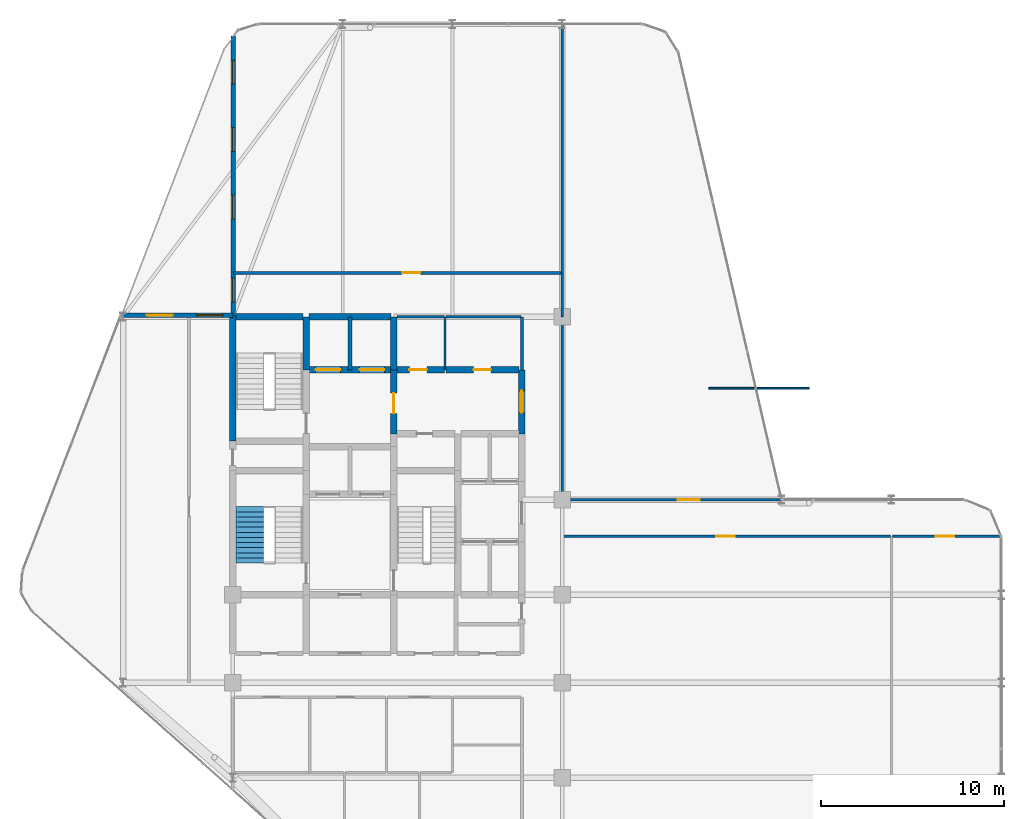
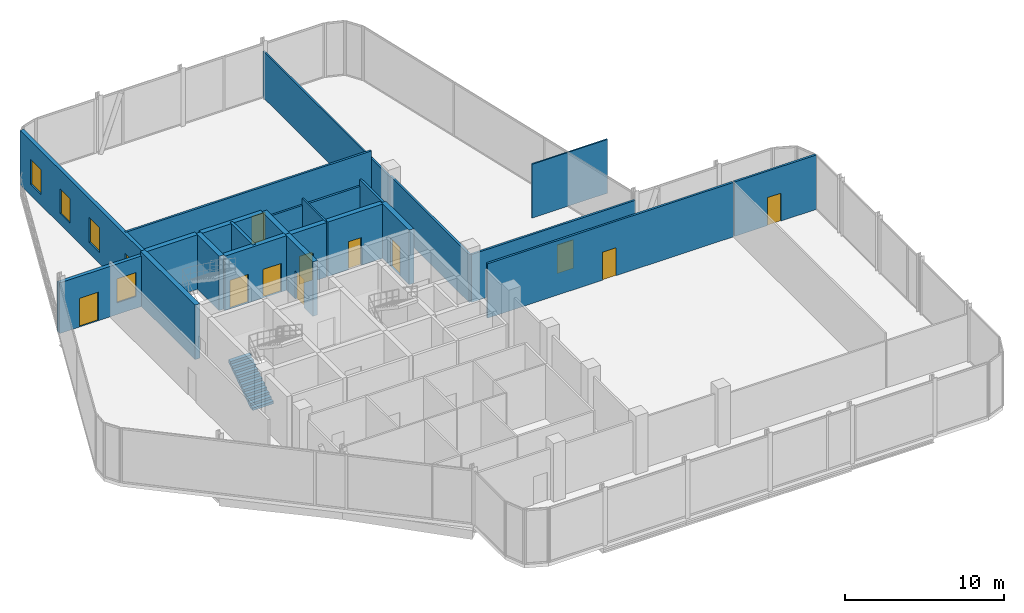
# One storey, part 29 of 31: 25 walls, 11 doors, 5 windows, 1 stair flight, 16 openings, 1 element without a shape of its own.
"""IFC4 building model written with IfcOpenShell, lengths in metres."""

from ifc_helpers import new_model, si_unit, direction, frame, frame_2d, origin, place, context, subcontext, project, spatial, polyline, rectangle, outline, extrude, material, layer, layer_set, type_object, element, fill, aggregate, save


model = new_model("IFC4")

# Units and contexts
model_context = context("Model", 3, precision=1e-05, world=origin(), true_north=direction((0.0, 1.0)))
body_context = subcontext(model_context, "Body", "Model", "MODEL_VIEW")
ifc_project = project(units=[si_unit("LENGTHUNIT", "METRE"), si_unit("AREAUNIT", "SQUARE_METRE"), si_unit("VOLUMEUNIT", "CUBIC_METRE"), si_unit("PLANEANGLEUNIT", "RADIAN"), si_unit("MASSUNIT", "GRAM", prefix="KILO")], contexts=[model_context])

# Site, building, storey
site_placement = place(None, origin())
site = spatial("IfcSite", under=ifc_project, at=site_placement, CompositionType="ELEMENT")
building_placement = place(site_placement, origin())
building = spatial("IfcBuilding", under=site, at=building_placement, Name="Keshet Zoharim Tower", CompositionType="ELEMENT")
storey_placement = place(building_placement, frame((0.0, 0.0, 183.89990234375)))
storey = spatial("IfcBuildingStorey", under=building, at=storey_placement, Name="L45", CompositionType="ELEMENT", Elevation=183.89990234375)

# Walls
ifc_material_1 = material(Name="Gypsum Plasterboard", Category="gypsum")
ifc_layer_1 = layer(ifc_material_1, 0.14990234375)
ifc_layer_set_1 = layer_set([ifc_layer_1], Name="Gypsum Plasterboard")
wall_type_1 = type_object("IfcWallType", Name="WL-CLIN-150", PredefinedType="STANDARD", material=ifc_layer_set_1)
wall_1_placement = place(storey_placement, frame((30.800048828125, 35.0, 0.0), z_axis=(0.0, 0.0, 1.0), x_axis=(0.0, 1.0, 0.0)))
element("IfcWall", 1, at=wall_1_placement, inside=storey, type_object=wall_type_1, Name="L45 Interior Wall 045", PredefinedType="STANDARD", context=body_context, shape_type="SweptSolid", body=[
    extrude(rectangle(XDim=2.89990234375, YDim=0.14990234375, at=frame_2d((1.449951171875, 0.0))), origin(), (0.0, 0.0, 1.0), 4.190185546875),
])
wall_2_placement = place(storey_placement, frame((33.0, 27.89990234375, 0.0), z_axis=(0.0, 0.0, 1.0), x_axis=(0.0, 1.0, 0.0)))
element("IfcWall", 2, at=wall_2_placement, inside=storey, type_object=wall_type_1, Name="L45 Interior Wall 047", PredefinedType="STANDARD", context=body_context, shape_type="SweptSolid", body=[
    extrude(rectangle(XDim=10.0, YDim=0.14990234375, at=frame_2d((5.0, 0.0))), origin(), (0.0, 0.0, 1.0), 3.690185546875),
])

# Wall, opening, door
wall_3_placement = place(storey_placement, frame((33.06005859375, 25.89990234375, 0.0), z_axis=(0.0, 0.0, 1.0), x_axis=(1.0, 0.0, 0.0)))
wall_3 = element("IfcWall", 3, at=wall_3_placement, inside=storey, type_object=wall_type_1, Name="L45 Interior Wall 074", PredefinedType="STANDARD", context=body_context, shape_type="SweptSolid", body=[
    extrude(rectangle(XDim=17.89501953125, YDim=0.14990234375, at=frame_2d((8.947509765625, 0.0))), origin(), (0.0, 0.0, 1.0), 4.190185546875),
])
opening_1_placement = place(wall_3_placement, frame((8.368896484375, 0.0, 0.0)))
opening_1 = element("IfcOpeningElement", 4, at=opening_1_placement, cuts=wall_3, Name="Opening D-F310", PredefinedType="OPENING", context=body_context, shape_type="SweptSolid", body=[
    extrude(rectangle(XDim=1.0, YDim=2.14990234375, at=frame_2d((0.5, 1.074951171875))), frame((0.0, 0.0849609375, 0.0), z_axis=(0.0, -1.0, 0.0), x_axis=(1.0, 0.0, 0.0)), (0.0, 0.0, 1.0), 0.169921875),
])
ifc_material_2 = material(Name="Hardwood Timber", Category="wood")
door_type_1 = type_object("IfcDoorType", Name="DR-FD30-100", OperationType="NOTDEFINED", PredefinedType="DOOR", material=ifc_material_2)
door_1_placement = place(opening_1_placement, origin())
door_1 = element("IfcDoor", 5, at=door_1_placement, inside=storey, type_object=door_type_1, Name="L45 Residents Dining Lounge Door", OperationType="SINGLE_SWING_RIGHT", OverallHeight=2.14990234375, OverallWidth=1.0, PredefinedType="DOOR", context=body_context, shape_type="SweptSolid", body=[
    extrude(rectangle(XDim=1.0, YDim=2.14990234375, at=frame_2d((0.5, 1.074951171875))), frame((0.0, 0.02490234375, 0.0), z_axis=(0.0, -1.0, 0.0), x_axis=(1.0, 0.0, 0.0)), (0.0, 0.0, 1.0), 0.050048828125),
])
fill(opening_1, door_1)

wall_4_placement = place(storey_placement, frame((51.044921875, 25.89990234375, 0.0), z_axis=(0.0, 0.0, 1.0), x_axis=(1.0, 0.0, 0.0)))
wall_4 = element("IfcWall", 6, at=wall_4_placement, inside=storey, type_object=wall_type_1, Name="L45 Interior Wall 075", PredefinedType="STANDARD", context=body_context, shape_type="SweptSolid", body=[
    extrude(rectangle(XDim=5.945068359375, YDim=0.14990234375, at=frame_2d((2.97265625, 0.0))), origin(), (0.0, 0.0, 1.0), 4.190185546875),
])
opening_2_placement = place(wall_4_placement, frame((2.384033203125, 0.0, 0.0)))
opening_2 = element("IfcOpeningElement", 7, at=opening_2_placement, cuts=wall_4, Name="Opening D-F310", PredefinedType="OPENING", context=body_context, shape_type="SweptSolid", body=[
    extrude(rectangle(XDim=1.0, YDim=2.14990234375, at=frame_2d((0.5, 1.074951171875))), frame((0.0, 0.0849609375, 0.0), z_axis=(0.0, -1.0, 0.0), x_axis=(1.0, 0.0, 0.0)), (0.0, 0.0, 1.0), 0.169921875),
])
door_2_placement = place(opening_2_placement, origin())
door_2 = element("IfcDoor", 8, at=door_2_placement, inside=storey, type_object=door_type_1, Name="L45 Residents Study Room Door", OperationType="SINGLE_SWING_LEFT", OverallHeight=2.14990234375, OverallWidth=1.0, PredefinedType="DOOR", context=body_context, shape_type="SweptSolid", body=[
    extrude(rectangle(XDim=1.0, YDim=2.14990234375, at=frame_2d((0.5, 1.074951171875))), frame((0.0, 0.02490234375, 0.0), z_axis=(0.0, -1.0, 0.0), x_axis=(1.0, 0.0, 0.0)), (0.0, 0.0, 1.0), 0.050048828125),
])
fill(opening_2, door_2)

wall_5_placement = place(storey_placement, frame((33.06005859375, 27.89990234375, 0.0), z_axis=(0.0, 0.0, 1.0), x_axis=(1.0, 0.0, 0.0)))
wall_5 = element("IfcWall", 9, at=wall_5_placement, inside=storey, type_object=wall_type_1, Name="L45 Interior Wall 076", PredefinedType="STANDARD", context=body_context, shape_type="SweptSolid", body=[
    extrude(rectangle(XDim=11.929931640625, YDim=0.14990234375, at=frame_2d((5.96484375, 0.0))), origin(), (0.0, 0.0, 1.0), 3.690185546875),
])
opening_3_placement = place(wall_5_placement, frame((6.260009765625, 0.0, 0.0)))
opening_3 = element("IfcOpeningElement", 10, at=opening_3_placement, cuts=wall_5, Name="Opening D-F612", PredefinedType="OPENING", context=body_context, shape_type="SweptSolid", body=[
    extrude(rectangle(XDim=1.199951171875, YDim=2.199951171875, at=frame_2d((0.60009765625, 1.10009765625))), frame((0.0, 0.0849609375, 0.0), z_axis=(0.0, -1.0, 0.0), x_axis=(1.0, 0.0, 0.0)), (0.0, 0.0, 1.0), 0.169921875),
])
door_type_2 = type_object("IfcDoorType", Name="DR-FD60-120", OperationType="NOTDEFINED", PredefinedType="DOOR", material=ifc_material_2)
door_3_placement = place(opening_3_placement, origin())
door_3 = element("IfcDoor", 11, at=door_3_placement, inside=storey, type_object=door_type_2, Name="L45 Community Assembly Hall Door", OperationType="SINGLE_SWING_RIGHT", OverallHeight=2.199951171875, OverallWidth=1.199951171875, PredefinedType="DOOR", context=body_context, shape_type="SweptSolid", body=[
    extrude(rectangle(XDim=1.199951171875, YDim=2.199951171875, at=frame_2d((0.60009765625, 1.10009765625))), frame((0.0, 0.02490234375, 0.0), z_axis=(0.0, -1.0, 0.0), x_axis=(1.0, 0.0, 0.0)), (0.0, 0.0, 1.0), 0.050048828125),
])
fill(opening_3, door_3)

# Walls
wall_6_placement = place(storey_placement, frame((23.9599609375, 37.89990234375, 0.0), z_axis=(0.0, 0.0, 1.0), x_axis=(1.0, 0.0, 0.0)))
element("IfcWall", 12, at=wall_6_placement, inside=storey, type_object=wall_type_1, Name="L45 Interior Wall 090", PredefinedType="STANDARD", context=body_context, shape_type="SweptSolid", body=[
    extrude(rectangle(XDim=2.594970703125, YDim=0.14990234375, at=frame_2d((1.29736328125, 0.0))), origin(), (0.0, 0.0, 1.0), 3.690185546875),
])
wall_7_placement = place(storey_placement, frame((26.64501953125, 37.89990234375, 0.0), z_axis=(0.0, 0.0, 1.0), x_axis=(1.0, 0.0, 0.0)))
element("IfcWall", 13, at=wall_7_placement, inside=storey, type_object=wall_type_1, Name="L45 Interior Wall 091", PredefinedType="STANDARD", context=body_context, shape_type="SweptSolid", body=[
    extrude(rectangle(XDim=4.094970703125, YDim=0.14990234375, at=frame_2d((2.04736328125, 0.0))), origin(), (0.0, 0.0, 1.0), 3.690185546875),
])

# Wall, opening, door
wall_8_placement = place(storey_placement, frame((15.030029296875, 40.300048828125, 0.0), z_axis=(0.0, 0.0, 1.0), x_axis=(1.0, 0.0, 0.0)))
wall_8 = element("IfcWall", 14, at=wall_8_placement, inside=storey, type_object=wall_type_1, Name="L45 Interior Wall 092", PredefinedType="STANDARD", context=body_context, shape_type="SweptSolid", body=[
    extrude(rectangle(XDim=17.909912109375, YDim=0.14990234375, at=frame_2d((8.955078125, 0.0))), origin(), (0.0, 0.0, 1.0), 4.190185546875),
])
opening_4_placement = place(wall_8_placement, frame((9.219970703125, 0.0, 0.0)))
opening_4 = element("IfcOpeningElement", 15, at=opening_4_placement, cuts=wall_8, Name="Opening D-F310", PredefinedType="OPENING", context=body_context, shape_type="SweptSolid", body=[
    extrude(rectangle(XDim=1.0, YDim=2.14990234375, at=frame_2d((0.5, 1.074951171875))), frame((0.0, 0.0849609375, 0.0), z_axis=(0.0, -1.0, 0.0), x_axis=(1.0, 0.0, 0.0)), (0.0, 0.0, 1.0), 0.169921875),
])
door_4_placement = place(opening_4_placement, origin())
door_4 = element("IfcDoor", 16, at=door_4_placement, inside=storey, type_object=door_type_1, Name="L45 Library and Study Room Door", OperationType="SINGLE_SWING_RIGHT", OverallHeight=2.14990234375, OverallWidth=1.0, PredefinedType="DOOR", context=body_context, shape_type="SweptSolid", body=[
    extrude(rectangle(XDim=1.0, YDim=2.14990234375, at=frame_2d((0.5, 1.074951171875))), frame((0.0, 0.02490234375, 0.0), z_axis=(0.0, -1.0, 0.0), x_axis=(1.0, 0.0, 0.0)), (0.0, 0.0, 1.0), 0.050048828125),
])
fill(opening_4, door_4)

# Walls
wall_9_placement = place(storey_placement, frame((33.0, 37.89990234375, 0.0), z_axis=(0.0, 0.0, 1.0), x_axis=(0.0, 1.0, 0.0)))
element("IfcWall", 17, at=wall_9_placement, inside=storey, type_object=wall_type_1, Name="L45 Interior Wall 047 Part 2", PredefinedType="STANDARD", context=body_context, shape_type="SweptSolid", body=[
    extrude(rectangle(XDim=2.400146484375, YDim=0.14990234375, at=frame_2d((1.2001953125, 0.0))), origin(), (0.0, 0.0, 1.0), 3.590087890625),
])
ifc_material_3 = material(Name="Concrete C60/75", Category="concrete")
ifc_layer_2 = layer(ifc_material_3, 0.35009765625)
ifc_layer_set_2 = layer_set([ifc_layer_2], Name="Concrete C60/75")
wall_type_2 = type_object("IfcWallType", Name="WL-CORE-350", PredefinedType="SHEAR", material=ifc_layer_set_2)
wall_10_placement = place(storey_placement, frame((15.0, 31.10009765625, 0.0), z_axis=(0.0, 0.0, 1.0), x_axis=(0.0, 1.0, 0.0)))
element("IfcWall", 18, at=wall_10_placement, inside=storey, type_object=wall_type_2, Name="L45 Core Shear Wall 007", PredefinedType="SHEAR", context=body_context, shape_type="SweptSolid", body=[
    extrude(rectangle(XDim=6.869873046875, YDim=0.35009765625, at=frame_2d((3.43505859375, 0.0))), origin(), (0.0, 0.0, 1.0), 4.190185546875),
])
wall_11_placement = place(storey_placement, frame((19.0, 35.0, 0.0), z_axis=(0.0, 0.0, 1.0), x_axis=(0.0, 1.0, 0.0)))
element("IfcWall", 19, at=wall_11_placement, inside=storey, type_object=wall_type_2, Name="L45 Core Shear Wall 012", PredefinedType="SHEAR", context=body_context, shape_type="SweptSolid", body=[
    extrude(rectangle(XDim=2.89990234375, YDim=0.35009765625, at=frame_2d((1.449951171875, 0.0))), origin(), (0.0, 0.0, 1.0), 4.190185546875),
])

# Wall, opening, door
wall_12_placement = place(storey_placement, frame((23.800048828125, 31.5, 0.0), z_axis=(0.0, 0.0, 1.0), x_axis=(0.0, 1.0, 0.0)))
wall_12 = element("IfcWall", 20, at=wall_12_placement, inside=storey, type_object=wall_type_2, Name="L45 Core Shear Wall 023", PredefinedType="SHEAR", context=body_context, shape_type="SweptSolid", body=[
    extrude(rectangle(XDim=3.5, YDim=0.35009765625, at=frame_2d((1.75, 0.0))), origin(), (0.0, 0.0, 1.0), 4.190185546875),
])
opening_5_placement = place(wall_12_placement, frame((1.126953125, 0.0, 0.0)))
opening_5 = element("IfcOpeningElement", 21, at=opening_5_placement, cuts=wall_12, Name="Opening D-F611", PredefinedType="OPENING", context=body_context, shape_type="SweptSolid", body=[
    extrude(rectangle(XDim=1.10009765625, YDim=2.14990234375, at=frame_2d((0.550048828125, 1.074951171875))), frame((0.0, 0.18505859375, 0.0), z_axis=(0.0, -1.0, 0.0), x_axis=(1.0, 0.0, 0.0)), (0.0, 0.0, 1.0), 0.3701171875),
])
door_type_3 = type_object("IfcDoorType", Name="DR-FD60-110", OperationType="NOTDEFINED", PredefinedType="DOOR", material=ifc_material_2)
door_5_placement = place(opening_5_placement, origin())
door_5 = element("IfcDoor", 22, at=door_5_placement, inside=storey, type_object=door_type_3, Name="L45 Firefighting Lobby Fire Door", OperationType="SINGLE_SWING_LEFT", OverallHeight=2.14990234375, OverallWidth=1.10009765625, PredefinedType="DOOR", context=body_context, shape_type="SweptSolid", body=[
    extrude(rectangle(XDim=1.10009765625, YDim=2.14990234375, at=frame_2d((0.550048828125, 1.074951171875))), frame((0.0, 0.02490234375, 0.0), z_axis=(0.0, -1.0, 0.0), x_axis=(1.0, 0.0, 0.0)), (0.0, 0.0, 1.0), 0.050048828125),
])
fill(opening_5, door_5)

# Wall
wall_13_placement = place(storey_placement, frame((23.800048828125, 35.0, 0.0), z_axis=(0.0, 0.0, 1.0), x_axis=(0.0, 1.0, 0.0)))
element("IfcWall", 23, at=wall_13_placement, inside=storey, type_object=wall_type_2, Name="L45 Core Shear Wall 024", PredefinedType="SHEAR", context=body_context, shape_type="SweptSolid", body=[
    extrude(rectangle(XDim=2.89990234375, YDim=0.35009765625, at=frame_2d((1.449951171875, 0.0))), origin(), (0.0, 0.0, 1.0), 4.190185546875),
])

# Wall, opening, door
wall_14_placement = place(storey_placement, frame((30.800048828125, 31.5, 0.0), z_axis=(0.0, 0.0, 1.0), x_axis=(0.0, 1.0, 0.0)))
wall_14 = element("IfcWall", 24, at=wall_14_placement, inside=storey, type_object=wall_type_2, Name="L45 Core Shear Wall 044", PredefinedType="SHEAR", context=body_context, shape_type="SweptSolid", body=[
    extrude(rectangle(XDim=3.5, YDim=0.35009765625, at=frame_2d((1.75, 0.0))), origin(), (0.0, 0.0, 1.0), 4.190185546875),
])
opening_6_placement = place(wall_14_placement, frame((1.14990234375, 0.0, 0.0)))
opening_6 = element("IfcOpeningElement", 25, at=opening_6_placement, cuts=wall_14, Name="Opening D-F612", PredefinedType="OPENING", context=body_context, shape_type="SweptSolid", body=[
    extrude(rectangle(XDim=1.199951171875, YDim=2.199951171875, at=frame_2d((0.60009765625, 1.10009765625))), frame((0.0, 0.18505859375, 0.0), z_axis=(0.0, -1.0, 0.0), x_axis=(1.0, 0.0, 0.0)), (0.0, 0.0, 1.0), 0.3701171875),
])
door_6_placement = place(opening_6_placement, origin())
door_6 = element("IfcDoor", 26, at=door_6_placement, inside=storey, type_object=door_type_2, Name="L45 North Lift Lobby East Fire Door", OperationType="SINGLE_SWING_RIGHT", OverallHeight=2.199951171875, OverallWidth=1.199951171875, PredefinedType="DOOR", context=body_context, shape_type="SweptSolid", body=[
    extrude(rectangle(XDim=1.199951171875, YDim=2.199951171875, at=frame_2d((0.60009765625, 1.10009765625))), frame((0.0, 0.02490234375, 0.0), z_axis=(0.0, -1.0, 0.0), x_axis=(1.0, 0.0, 0.0)), (0.0, 0.0, 1.0), 0.050048828125),
])
fill(opening_6, door_6)

# Wall, openings, doors
wall_15_placement = place(storey_placement, frame((19.159912109375, 35.0, 0.0), z_axis=(0.0, 0.0, 1.0), x_axis=(1.0, 0.0, 0.0)))
wall_15 = element("IfcWall", 27, at=wall_15_placement, inside=storey, type_object=wall_type_2, Name="L45 Core Shear Wall 085", PredefinedType="SHEAR", context=body_context, shape_type="SweptSolid", body=[
    extrude(rectangle(XDim=4.47998046875, YDim=0.35009765625, at=frame_2d((2.239990234375, 0.0))), origin(), (0.0, 0.0, 1.0), 4.190185546875),
])
opening_7_placement = place(wall_15_placement, frame((0.364990234375, 0.0, 0.0)))
opening_7 = element("IfcOpeningElement", 28, at=opening_7_placement, cuts=wall_15, Name="Opening LD-02", PredefinedType="OPENING", context=body_context, shape_type="SweptSolid", body=[
    extrude(rectangle(XDim=1.35009765625, YDim=2.199951171875, at=frame_2d((0.675048828125, 1.10009765625))), frame((0.0, 0.18505859375, 0.0), z_axis=(0.0, -1.0, 0.0), x_axis=(1.0, 0.0, 0.0)), (0.0, 0.0, 1.0), 0.3701171875),
])
opening_8_placement = place(wall_15_placement, frame((2.764892578125, 0.0, 0.0)))
opening_8 = element("IfcOpeningElement", 29, at=opening_8_placement, cuts=wall_15, Name="Opening LD-02", PredefinedType="OPENING", context=body_context, shape_type="SweptSolid", body=[
    extrude(rectangle(XDim=1.35009765625, YDim=2.199951171875, at=frame_2d((0.675048828125, 1.10009765625))), frame((0.0, 0.18505859375, 0.0), z_axis=(0.0, -1.0, 0.0), x_axis=(1.0, 0.0, 0.0)), (0.0, 0.0, 1.0), 0.3701171875),
])
ifc_material_4 = material(Name="Steel S355", Category="steel")
door_type_4 = type_object("IfcDoorType", Name="DR-LD02-135", OperationType="DOUBLE_DOOR_SLIDING", PredefinedType="DOOR", material=ifc_material_4)
door_7_placement = place(opening_7_placement, origin())
door_7 = element("IfcDoor", 30, at=door_7_placement, inside=storey, type_object=door_type_4, Name="L45 Firefighting Lift Landing Door FF-01", OperationType="DOUBLE_DOOR_SLIDING", OverallHeight=2.199951171875, OverallWidth=1.35009765625, PredefinedType="DOOR", context=body_context, shape_type="SweptSolid", body=[
    extrude(rectangle(XDim=1.35009765625, YDim=2.199951171875, at=frame_2d((0.675048828125, 1.10009765625))), frame((0.0, 0.02490234375, 0.0), z_axis=(0.0, -1.0, 0.0), x_axis=(1.0, 0.0, 0.0)), (0.0, 0.0, 1.0), 0.050048828125),
])
fill(opening_7, door_7)
door_8_placement = place(opening_8_placement, origin())
door_8 = element("IfcDoor", 31, at=door_8_placement, inside=storey, type_object=door_type_4, Name="L45 Firefighting Lift Landing Door FF-02", OperationType="DOUBLE_DOOR_SLIDING", OverallHeight=2.199951171875, OverallWidth=1.35009765625, PredefinedType="DOOR", context=body_context, shape_type="SweptSolid", body=[
    extrude(rectangle(XDim=1.35009765625, YDim=2.199951171875, at=frame_2d((0.675048828125, 1.10009765625))), frame((0.0, 0.02490234375, 0.0), z_axis=(0.0, -1.0, 0.0), x_axis=(1.0, 0.0, 0.0)), (0.0, 0.0, 1.0), 0.050048828125),
])
fill(opening_8, door_8)

# Wall, opening, door
wall_16_placement = place(storey_placement, frame((23.9599609375, 35.0, 0.0), z_axis=(0.0, 0.0, 1.0), x_axis=(1.0, 0.0, 0.0)))
wall_16 = element("IfcWall", 32, at=wall_16_placement, inside=storey, type_object=wall_type_2, Name="L45 Core Shear Wall 086", PredefinedType="SHEAR", context=body_context, shape_type="SweptSolid", body=[
    extrude(rectangle(XDim=2.594970703125, YDim=0.35009765625, at=frame_2d((1.29736328125, 0.0))), origin(), (0.0, 0.0, 1.0), 4.190185546875),
])
opening_9_placement = place(wall_16_placement, frame((0.69091796875, 0.0, 0.0)))
opening_9 = element("IfcOpeningElement", 33, at=opening_9_placement, cuts=wall_16, Name="Opening D-F695", PredefinedType="OPENING", context=body_context, shape_type="SweptSolid", body=[
    extrude(rectangle(XDim=0.949951171875, YDim=2.14990234375, at=frame_2d((0.47509765625, 1.074951171875))), frame((0.0, 0.18505859375, 0.0), z_axis=(0.0, -1.0, 0.0), x_axis=(1.0, 0.0, 0.0)), (0.0, 0.0, 1.0), 0.3701171875),
])
door_type_5 = type_object("IfcDoorType", Name="DR-FD60-095", OperationType="NOTDEFINED", PredefinedType="DOOR", material=ifc_material_2)
door_9_placement = place(opening_9_placement, frame((0.949951171875, 0.0, 0.0), z_axis=(0.0, 0.0, 1.0), x_axis=(-1.0, 0.0, 0.0)))
door_9 = element("IfcDoor", 34, at=door_9_placement, inside=storey, type_object=door_type_5, Name="L45 Laundry Room Door", OperationType="SINGLE_SWING_RIGHT", OverallHeight=2.14990234375, OverallWidth=0.949951171875, PredefinedType="DOOR", context=body_context, shape_type="SweptSolid", body=[
    extrude(rectangle(XDim=0.949951171875, YDim=2.14990234375, at=frame_2d((0.47509765625, 1.074951171875))), frame((0.0, 0.02490234375, 0.0), z_axis=(0.0, -1.0, 0.0), x_axis=(1.0, 0.0, 0.0)), (0.0, 0.0, 1.0), 0.050048828125),
])
fill(opening_9, door_9)

wall_17_placement = place(storey_placement, frame((26.64501953125, 35.0, 0.0), z_axis=(0.0, 0.0, 1.0), x_axis=(1.0, 0.0, 0.0)))
wall_17 = element("IfcWall", 35, at=wall_17_placement, inside=storey, type_object=wall_type_2, Name="L45 Core Shear Wall 087", PredefinedType="SHEAR", context=body_context, shape_type="SweptSolid", body=[
    extrude(rectangle(XDim=3.994873046875, YDim=0.35009765625, at=frame_2d((1.99755859375, 0.0))), origin(), (0.0, 0.0, 1.0), 4.190185546875),
])
opening_10_placement = place(wall_17_placement, frame((1.508056640625, 0.0, 0.0)))
opening_10 = element("IfcOpeningElement", 36, at=opening_10_placement, cuts=wall_17, Name="Opening D-F695", PredefinedType="OPENING", context=body_context, shape_type="SweptSolid", body=[
    extrude(rectangle(XDim=0.949951171875, YDim=2.14990234375, at=frame_2d((0.47509765625, 1.074951171875))), frame((0.0, 0.18505859375, 0.0), z_axis=(0.0, -1.0, 0.0), x_axis=(1.0, 0.0, 0.0)), (0.0, 0.0, 1.0), 0.3701171875),
])
door_10_placement = place(opening_10_placement, frame((0.949951171875, 0.0, 0.0), z_axis=(0.0, 0.0, 1.0), x_axis=(-1.0, 0.0, 0.0)))
door_10 = element("IfcDoor", 37, at=door_10_placement, inside=storey, type_object=door_type_5, Name="L45 Quiet Study Room Door", OperationType="SINGLE_SWING_LEFT", OverallHeight=2.14990234375, OverallWidth=0.949951171875, PredefinedType="DOOR", context=body_context, shape_type="SweptSolid", body=[
    extrude(rectangle(XDim=0.949951171875, YDim=2.14990234375, at=frame_2d((0.47509765625, 1.074951171875))), frame((0.0, 0.02490234375, 0.0), z_axis=(0.0, -1.0, 0.0), x_axis=(1.0, 0.0, 0.0)), (0.0, 0.0, 1.0), 0.050048828125),
])
fill(opening_10, door_10)

# Walls
wall_18_placement = place(storey_placement, frame((15.157958984375, 37.89990234375, 0.0), z_axis=(0.0, 0.0, 1.0), x_axis=(1.0, 0.0, 0.0)))
element("IfcWall", 38, at=wall_18_placement, inside=storey, type_object=wall_type_2, Name="L45 Core Shear Wall 088", PredefinedType="SHEAR", context=body_context, shape_type="SweptSolid", body=[
    extrude(rectangle(XDim=3.68212890625, YDim=0.35009765625, at=frame_2d((1.841064453125, 0.0))), origin(), (0.0, 0.0, 1.0), 4.190185546875),
])
wall_19_placement = place(storey_placement, frame((19.159912109375, 37.89990234375, 0.0), z_axis=(0.0, 0.0, 1.0), x_axis=(1.0, 0.0, 0.0)))
element("IfcWall", 39, at=wall_19_placement, inside=storey, type_object=wall_type_2, Name="L45 Core Shear Wall 089", PredefinedType="SHEAR", context=body_context, shape_type="SweptSolid", body=[
    extrude(rectangle(XDim=4.47998046875, YDim=0.35009765625, at=frame_2d((2.239990234375, 0.0))), origin(), (0.0, 0.0, 1.0), 4.190185546875),
])

# Wall, openings, door, window
ifc_material_5 = material(Name="Concrete C50/60 precast", Category="concrete")
ifc_layer_3 = layer(ifc_material_5, 0.260009765625)
ifc_layer_set_3 = layer_set([ifc_layer_3], Name="Concrete C50/60 precast")
wall_type_3 = type_object("IfcWallType", Name="WL-EXT-260", PredefinedType="STANDARD", material=ifc_layer_set_3)
wall_20_placement = place(storey_placement, frame((8.876953125, 37.97998046875, 0.0), z_axis=(0.0, 0.0, 1.0), x_axis=(1.0, 0.0, 0.0)))
wall_20 = element("IfcWall", 40, at=wall_20_placement, inside=storey, type_object=wall_type_3, Name="L45 Exterior Facade Wall 01", PredefinedType="STANDARD", context=body_context, shape_type="SweptSolid", body=[
    extrude(rectangle(XDim=6.14306640625, YDim=0.260009765625, at=frame_2d((3.071533203125, 0.0))), origin(), (0.0, 0.0, 1.0), 3.89013671875),
])
opening_11_placement = place(wall_20_placement, frame((1.424072265625, 0.0, 0.0)))
opening_11 = element("IfcOpeningElement", 41, at=opening_11_placement, cuts=wall_20, Name="Opening D-TR14", PredefinedType="OPENING", context=body_context, shape_type="SweptSolid", body=[
    extrude(rectangle(XDim=1.39990234375, YDim=2.199951171875, at=frame_2d((0.699951171875, 1.10009765625))), frame((0.0, 0.14013671875, 0.0), z_axis=(0.0, -1.0, 0.0), x_axis=(1.0, 0.0, 0.0)), (0.0, 0.0, 1.0), 0.280029296875),
])
opening_12_placement = place(wall_20_placement, frame((4.156982421875, 0.0, 0.89990234375)))
opening_12 = element("IfcOpeningElement", 42, at=opening_12_placement, cuts=wall_20, Name="Opening W-140", PredefinedType="OPENING", context=body_context, shape_type="SweptSolid", body=[
    extrude(rectangle(XDim=1.39990234375, YDim=1.85009765625, at=frame_2d((0.699951171875, 0.925048828125))), frame((0.0, 0.14013671875, 0.0), z_axis=(0.0, -1.0, 0.0), x_axis=(1.0, 0.0, 0.0)), (0.0, 0.0, 1.0), 0.280029296875),
])
ifc_material_6 = material(Name="Aluminium 6063-T6", Category="aluminium")
door_type_6 = type_object("IfcDoorType", Name="DR-TER-140", OperationType="DOUBLE_DOOR_SINGLE_SWING", PredefinedType="DOOR", material=ifc_material_6)
door_11_placement = place(opening_11_placement, origin())
door_11 = element("IfcDoor", 43, at=door_11_placement, inside=storey, type_object=door_type_6, Name="L45 Sky Terrace Access Door 01", OperationType="DOUBLE_DOOR_SINGLE_SWING", OverallHeight=2.199951171875, OverallWidth=1.39990234375, PredefinedType="DOOR", context=body_context, shape_type="SweptSolid", body=[
    extrude(rectangle(XDim=1.39990234375, YDim=2.199951171875, at=frame_2d((0.699951171875, 1.10009765625))), frame((0.0, 0.02490234375, 0.0), z_axis=(0.0, -1.0, 0.0), x_axis=(1.0, 0.0, 0.0)), (0.0, 0.0, 1.0), 0.050048828125),
])
fill(opening_11, door_11)
ifc_material_7 = material(Name="Insulated Low-E Clear Glass", Category="glass")
window_type_1 = type_object("IfcWindowType", Name="WN-TER-140", PartitioningType="SINGLE_PANEL", PredefinedType="WINDOW", material=ifc_material_7)
window_1_placement = place(opening_12_placement, origin())
window_1 = element("IfcWindow", 44, at=window_1_placement, inside=storey, type_object=window_type_1, Name="L45 Terrace Side Window 01", OverallHeight=1.85009765625, OverallWidth=1.39990234375, PartitioningType="SINGLE_PANEL", PredefinedType="WINDOW", context=body_context, shape_type="SweptSolid", body=[
    extrude(rectangle(XDim=1.39990234375, YDim=1.85009765625, at=frame_2d((0.699951171875, 0.925048828125))), frame((0.0, 0.030029296875, 0.0), z_axis=(0.0, -1.0, 0.0), x_axis=(1.0, 0.0, 0.0)), (0.0, 0.0, 1.0), 0.06005859375),
])
fill(opening_12, window_1)

# Wall, openings, windows
wall_21_placement = place(storey_placement, frame((15.02001953125, 37.97998046875, 0.0), z_axis=(0.0, 0.0, 1.0), x_axis=(0.0, 1.0, 0.0)))
wall_21 = element("IfcWall", 45, at=wall_21_placement, inside=storey, type_object=wall_type_3, Name="L45 Exterior Facade Wall 02", PredefinedType="STANDARD", context=body_context, shape_type="SweptSolid", body=[
    extrude(rectangle(XDim=15.276123046875, YDim=0.260009765625, at=frame_2d((7.63818359375, 0.0))), origin(), (0.0, 0.0, 1.0), 4.190185546875),
])
opening_13_placement = place(wall_21_placement, frame((0.741943359375, 0.0, 0.85009765625)))
opening_13 = element("IfcOpeningElement", 46, at=opening_13_placement, cuts=wall_21, Name="Opening W-130", PredefinedType="OPENING", context=body_context, shape_type="SweptSolid", body=[
    extrude(rectangle(XDim=1.300048828125, YDim=1.89990234375, at=frame_2d((0.64990234375, 0.949951171875))), frame((0.0, 0.14013671875, 0.0), z_axis=(0.0, -1.0, 0.0), x_axis=(1.0, 0.0, 0.0)), (0.0, 0.0, 1.0), 0.280029296875),
])
opening_14_placement = place(wall_21_placement, frame((5.27587890625, 0.0, 0.85009765625)))
opening_14 = element("IfcOpeningElement", 47, at=opening_14_placement, cuts=wall_21, Name="Opening W-130", PredefinedType="OPENING", context=body_context, shape_type="SweptSolid", body=[
    extrude(rectangle(XDim=1.300048828125, YDim=1.89990234375, at=frame_2d((0.64990234375, 0.949951171875))), frame((0.0, 0.14013671875, 0.0), z_axis=(0.0, -1.0, 0.0), x_axis=(1.0, 0.0, 0.0)), (0.0, 0.0, 1.0), 0.280029296875),
])
opening_15_placement = place(wall_21_placement, frame((8.9599609375, 0.0, 0.85009765625)))
opening_15 = element("IfcOpeningElement", 48, at=opening_15_placement, cuts=wall_21, Name="Opening W-130", PredefinedType="OPENING", context=body_context, shape_type="SweptSolid", body=[
    extrude(rectangle(XDim=1.300048828125, YDim=1.89990234375, at=frame_2d((0.64990234375, 0.949951171875))), frame((0.0, 0.14013671875, 0.0), z_axis=(0.0, -1.0, 0.0), x_axis=(1.0, 0.0, 0.0)), (0.0, 0.0, 1.0), 0.280029296875),
])
opening_16_placement = place(wall_21_placement, frame((12.64404296875, 0.0, 0.85009765625)))
opening_16 = element("IfcOpeningElement", 49, at=opening_16_placement, cuts=wall_21, Name="Opening W-130", PredefinedType="OPENING", context=body_context, shape_type="SweptSolid", body=[
    extrude(rectangle(XDim=1.300048828125, YDim=1.89990234375, at=frame_2d((0.64990234375, 0.949951171875))), frame((0.0, 0.14013671875, 0.0), z_axis=(0.0, -1.0, 0.0), x_axis=(1.0, 0.0, 0.0)), (0.0, 0.0, 1.0), 0.280029296875),
])
window_type_2 = type_object("IfcWindowType", Name="WN-CRN-130", PartitioningType="SINGLE_PANEL", PredefinedType="WINDOW", material=ifc_material_7)
window_2_placement = place(opening_13_placement, origin())
window_2 = element("IfcWindow", 50, at=window_2_placement, inside=storey, type_object=window_type_2, Name="L45 Wind-Corner Window 02", OverallHeight=1.89990234375, OverallWidth=1.300048828125, PartitioningType="SINGLE_PANEL", PredefinedType="WINDOW", context=body_context, shape_type="SweptSolid", body=[
    extrude(rectangle(XDim=1.300048828125, YDim=1.89990234375, at=frame_2d((0.64990234375, 0.949951171875))), frame((0.0, 0.030029296875, 0.0), z_axis=(0.0, -1.0, 0.0), x_axis=(1.0, 0.0, 0.0)), (0.0, 0.0, 1.0), 0.06005859375),
])
fill(opening_13, window_2)
window_3_placement = place(opening_14_placement, origin())
window_3 = element("IfcWindow", 51, at=window_3_placement, inside=storey, type_object=window_type_2, Name="L45 Wind-Corner Window 03", OverallHeight=1.89990234375, OverallWidth=1.300048828125, PartitioningType="SINGLE_PANEL", PredefinedType="WINDOW", context=body_context, shape_type="SweptSolid", body=[
    extrude(rectangle(XDim=1.300048828125, YDim=1.89990234375, at=frame_2d((0.64990234375, 0.949951171875))), frame((0.0, 0.030029296875, 0.0), z_axis=(0.0, -1.0, 0.0), x_axis=(1.0, 0.0, 0.0)), (0.0, 0.0, 1.0), 0.06005859375),
])
fill(opening_14, window_3)
window_4_placement = place(opening_15_placement, origin())
window_4 = element("IfcWindow", 52, at=window_4_placement, inside=storey, type_object=window_type_2, Name="L45 Wind-Corner Window 04", OverallHeight=1.89990234375, OverallWidth=1.300048828125, PartitioningType="SINGLE_PANEL", PredefinedType="WINDOW", context=body_context, shape_type="SweptSolid", body=[
    extrude(rectangle(XDim=1.300048828125, YDim=1.89990234375, at=frame_2d((0.64990234375, 0.949951171875))), frame((0.0, 0.030029296875, 0.0), z_axis=(0.0, -1.0, 0.0), x_axis=(1.0, 0.0, 0.0)), (0.0, 0.0, 1.0), 0.06005859375),
])
fill(opening_15, window_4)
window_5_placement = place(opening_16_placement, origin())
window_5 = element("IfcWindow", 53, at=window_5_placement, inside=storey, type_object=window_type_2, Name="L45 Wind-Corner Window 05", OverallHeight=1.89990234375, OverallWidth=1.300048828125, PartitioningType="SINGLE_PANEL", PredefinedType="WINDOW", context=body_context, shape_type="SweptSolid", body=[
    extrude(rectangle(XDim=1.300048828125, YDim=1.89990234375, at=frame_2d((0.64990234375, 0.949951171875))), frame((0.0, 0.030029296875, 0.0), z_axis=(0.0, -1.0, 0.0), x_axis=(1.0, 0.0, 0.0)), (0.0, 0.0, 1.0), 0.06005859375),
])
fill(opening_16, window_5)

# Walls
ifc_material_8 = material(Name="Concrete C50/60", Category="concrete")
ifc_layer_4 = layer(ifc_material_8, 0.199951171875)
ifc_layer_set_4 = layer_set([ifc_layer_4], Name="Concrete C50/60")
wall_type_4 = type_object("IfcWallType", Name="WL-FIRE-200", PredefinedType="STANDARD", material=ifc_layer_set_4)
wall_22_placement = place(storey_placement, frame((21.39990234375, 35.0, 0.0), z_axis=(0.0, 0.0, 1.0), x_axis=(0.0, 1.0, 0.0)))
element("IfcWall", 54, at=wall_22_placement, inside=storey, type_object=wall_type_4, Name="L45 Interior Wall 016", PredefinedType="STANDARD", context=body_context, shape_type="SweptSolid", body=[
    extrude(rectangle(XDim=2.89990234375, YDim=0.199951171875, at=frame_2d((1.449951171875, 0.0))), origin(), (0.0, 0.0, 1.0), 4.190185546875),
])
ifc_layer_5 = layer(ifc_material_1, 0.10009765625)
ifc_layer_set_5 = layer_set([ifc_layer_5], Name="Gypsum Plasterboard")
wall_type_5 = type_object("IfcWallType", Name="WL-MOV-100", PredefinedType="MOVABLE", material=ifc_layer_set_5)
wall_23_placement = place(storey_placement, frame((41.0, 34.0, 0.0), z_axis=(0.0, 0.0, 1.0), x_axis=(1.0, 0.0, 0.0)))
element("IfcWall", 55, at=wall_23_placement, inside=storey, type_object=wall_type_5, Name="L45 Community Hall Movable Acoustic Partition", PredefinedType="MOVABLE", context=body_context, shape_type="SweptSolid", body=[
    extrude(rectangle(XDim=5.5, YDim=0.10009765625, at=frame_2d((2.75, 0.0))), origin(), (0.0, 0.0, 1.0), 4.14013671875),
])
ifc_layer_6 = layer(ifc_material_1, 0.1201171875)
ifc_layer_set_6 = layer_set([ifc_layer_6], Name="Gypsum Plasterboard")
wall_type_6 = type_object("IfcWallType", Name="WL-PART-120", PredefinedType="PARTITIONING", material=ifc_layer_set_6)
wall_24_placement = place(storey_placement, frame((26.60009765625, 35.0, 0.0), z_axis=(0.0, 0.0, 1.0), x_axis=(0.0, 1.0, 0.0)))
element("IfcWall", 56, at=wall_24_placement, inside=storey, type_object=wall_type_6, Name="L45 Interior Wall 026", PredefinedType="PARTITIONING", context=body_context, shape_type="SweptSolid", body=[
    extrude(rectangle(XDim=2.89990234375, YDim=0.1201171875, at=frame_2d((1.449951171875, 0.0))), origin(), (0.0, 0.0, 1.0), 4.190185546875),
])
wall_25_placement = place(storey_placement, frame((33.0, 40.300048828125, 0.0), z_axis=(0.0, 0.0, 1.0), x_axis=(0.0, 1.0, 0.0)))
element("IfcWall", 57, at=wall_25_placement, inside=storey, type_object=wall_type_6, Name="L45 Interior Wall 048", PredefinedType="PARTITIONING", context=body_context, shape_type="SweptSolid", body=[
    extrude(rectangle(XDim=13.58984375, YDim=0.1201171875, at=frame_2d((6.794921875, 0.0))), origin(), (0.0, 0.0, 1.0), 3.590087890625),
])

# Stair, stair flight
stair_type = type_object("IfcStairType", Name="STR-EXIT-135", PredefinedType="HALF_TURN_STAIR", material=ifc_material_8)
stair_placement = place(storey_placement, origin())
stair = element("IfcStair", 58, at=stair_placement, inside=storey, type_object=stair_type, Name="L45 Enclosed Exit Stair ST-01", PredefinedType="HALF_TURN_STAIR")
stair_flight_type = type_object("IfcStairFlightType", Name="FLT-PRE-135", PredefinedType="STRAIGHT", material=ifc_material_8)
stair_flight_placement = place(storey_placement, frame((15.945068359375, 24.43994140625, 0.0), z_axis=(0.0, 0.0, 1.0), x_axis=(0.0, 1.0, 0.0)))
stair_flight = element("IfcStairFlight", 59, at=stair_flight_placement, type_object=stair_flight_type, Name="ST-01 flight 1", NumberOfRisers=12, NumberOfTreads=11, PredefinedType="STRAIGHT", RiserHeight=0.1875, TreadLength=0.28, context=body_context, shape_type="SweptSolid", body=[
    extrude(outline(polyline([(0.0, 0.0), (0.0, 0.1875), (0.280029296875, 0.1875), (0.280029296875, 0.375), (0.56005859375, 0.375), (0.56005859375, 0.5625), (0.840087890625, 0.5625), (0.840087890625, 0.75), (1.1201171875, 0.75), (1.1201171875, 0.9375), (1.39990234375, 0.9375), (1.39990234375, 1.125), (1.679931640625, 1.125), (1.679931640625, 1.3125), (1.9599609375, 1.3125), (1.9599609375, 1.5), (2.239990234375, 1.5), (2.239990234375, 1.6875), (2.52001953125, 1.6875), (2.52001953125, 1.875), (2.800048828125, 1.875), (2.800048828125, 2.0625), (3.080078125, 2.0625), (3.080078125, 2.25), (3.080078125, 1.8701171875), (0.287353515625, 0.0), (0.0, 0.0)])), frame((0.0, 0.76513671875, 0.0), z_axis=(0.0, -1.0, 0.0), x_axis=(1.0, 0.0, 0.0)), (0.0, 0.0, 1.0), 1.530029296875),
])
aggregate(stair, [stair_flight])

save(model, "model.ifc")
